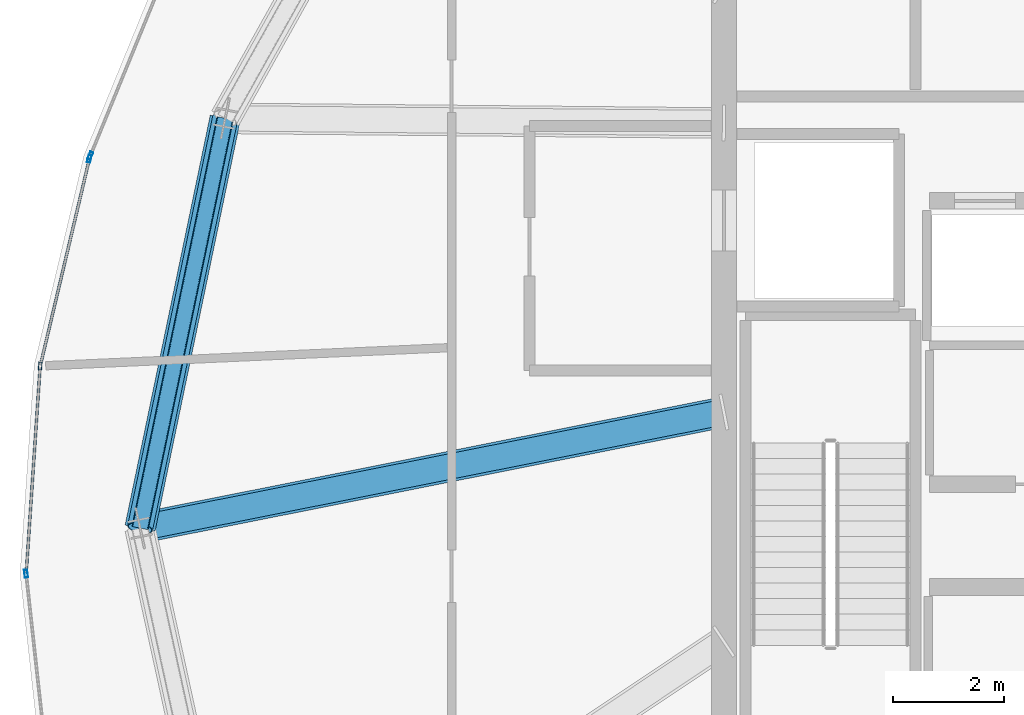
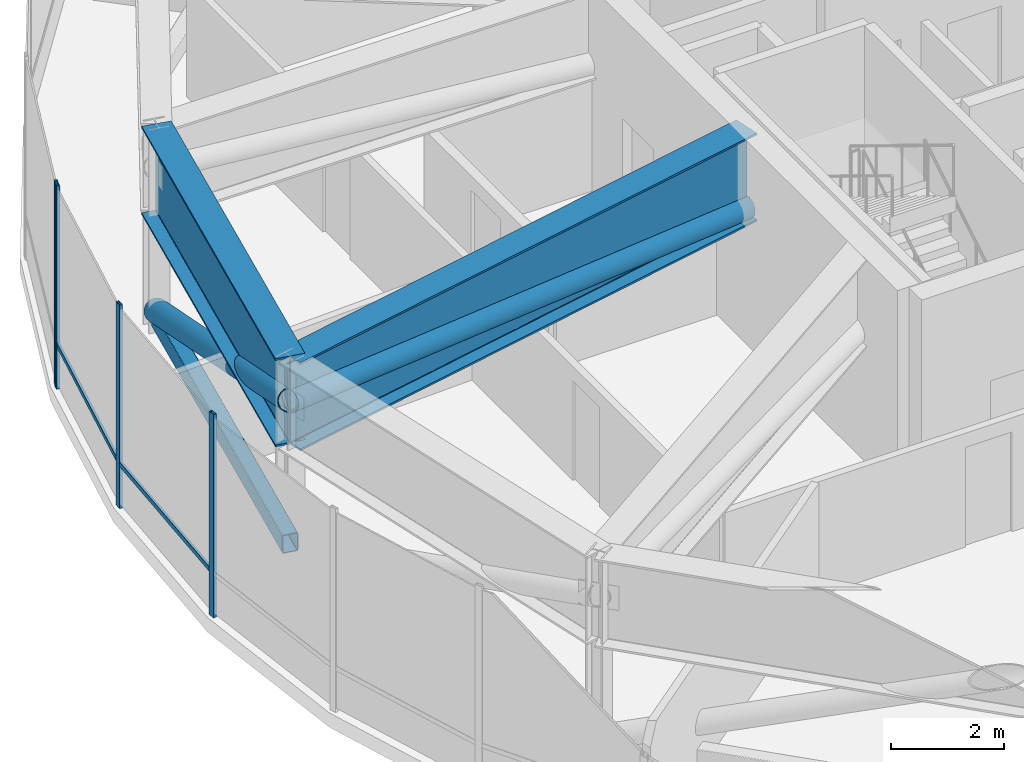
# One storey, part 8 of 26: 9 members, 2 beams, 2 elements without a shape of their own.
"""IFC4 building model written with IfcOpenShell, lengths in metres."""

from ifc_helpers import new_model, si_unit, direction, frame, origin, origin_2d, place, context, subcontext, project, spatial, hollow_rectangle, hollow_circle, i_section, extrude, source, transform, mapped, material, layer, layer_set, material_profile, profile_set, type_object, element, aggregate, save


model = new_model("IFC4")

# Units and contexts
model_context = context("Model", 3, precision=1e-05, world=origin(), true_north=direction((0.0, 1.0)))
body_context = subcontext(model_context, "Body", "Model", "MODEL_VIEW")
ifc_project = project(units=[si_unit("LENGTHUNIT", "METRE"), si_unit("AREAUNIT", "SQUARE_METRE"), si_unit("VOLUMEUNIT", "CUBIC_METRE"), si_unit("PLANEANGLEUNIT", "RADIAN"), si_unit("MASSUNIT", "GRAM", prefix="KILO"), si_unit("THERMODYNAMICTEMPERATUREUNIT", "KELVIN")], contexts=[model_context])

# Site, building, storey
site_placement = place(None, origin())
site = spatial("IfcSite", under=ifc_project, at=site_placement, CompositionType="ELEMENT")
building_placement = place(site_placement, origin())
building = spatial("IfcBuilding", under=site, at=building_placement, Name="Kethvar Cultural Tower", CompositionType="ELEMENT")
storey_placement = place(building_placement, frame((0.0, 0.0, 223.60009765625)))
storey = spatial("IfcBuildingStorey", under=building, at=storey_placement, Name="L58", CompositionType="ELEMENT", Elevation=223.60009765625)

# Beam
ifc_material_1 = material(Name="Steel S460M", Category="steel")
ifc_material_profile_1 = material_profile(ifc_material_1, i_section(OverallWidth=0.550048828125, OverallDepth=1.89990234375, WebThickness=0.02490234375, FlangeThickness=0.0400390625, FilletRadius=0.02001953125, at=origin_2d()), Name="Steel S460M — PG1900x550x40x25")
ifc_profile_set_1 = profile_set([ifc_material_profile_1], Name="Steel S460M — PG1900x550x40x25")
beam_type = type_object("IfcBeamType", Name="BM-TR1900", PredefinedType="BEAM", material=ifc_profile_set_1)
shared_shape_1 = source(origin(), body_context, "Body", "SweptSolid", [
    extrude(i_section(OverallWidth=0.550048828125, OverallDepth=1.89990234375, WebThickness=0.02490234375, FlangeThickness=0.0400390625, FilletRadius=0.02001953125, at=origin_2d()), origin(), (0.0, 0.0, 1.0), 7.533447265625),
])
beam_1_placement = place(storey_placement, frame((29.02490234375, 31.335693359375, 3.427978515625), z_axis=(-0.203358905185, -0.979104261906, 0.0), x_axis=(0.979104261906, -0.203358905185, 0.0)))
element("IfcBeam", 1, at=beam_1_placement, inside=storey, type_object=beam_type, Name="L58 Ring Belt Girder BG-08", PredefinedType="BEAM", context=body_context, shape_type="MappedRepresentation", body=[
    mapped(shared_shape_1, transform((0.0, 0.0, 0.0), scale=1.0)),
])

# Members
ifc_material_profile_2 = material_profile(ifc_material_1, hollow_rectangle(XDim=0.300048828125, YDim=0.39990234375, WallThickness=0.01611328125, InnerFilletRadius=0.01611328125, OuterFilletRadius=0.031982421875, at=origin_2d()), Name="Steel S460M — RHS400x300x16")
ifc_profile_set_2 = profile_set([ifc_material_profile_2], Name="Steel S460M — RHS400x300x16")
member_type_1 = type_object("IfcMemberType", Name="MB-CHD-400", PredefinedType="CHORD", material=ifc_profile_set_2)
shared_shape_2 = source(origin(), body_context, "Body", "SweptSolid", [
    extrude(hollow_rectangle(XDim=0.300048828125, YDim=0.39990234375, WallThickness=0.01611328125, InnerFilletRadius=0.01611328125, OuterFilletRadius=0.031982421875, at=origin_2d()), origin(), (0.0, 0.0, 1.0), 7.533447265625),
])
member_1_placement = place(storey_placement, frame((29.02490234375, 31.335693359375, 0.349853515625), z_axis=(-0.203358905185, -0.979104261906, 0.0), x_axis=(0.979104261906, -0.203358905185, 0.0)))
element("IfcMember", 2, at=member_1_placement, inside=storey, type_object=member_type_1, Name="L58 Ring Belt Bottom Chord BC-08", PredefinedType="CHORD", context=body_context, shape_type="MappedRepresentation", body=[
    mapped(shared_shape_2, transform((0.0, 0.0, 0.0), scale=1.0)),
])
ifc_material_2 = material(Name="Steel S355J2", Category="steel")
ifc_material_profile_3 = material_profile(ifc_material_2, hollow_circle(Radius=0.228515625, WallThickness=0.01611328125, at=origin_2d()), Name="Steel S355J2 — CHS457x16")
ifc_profile_set_3 = profile_set([ifc_material_profile_3], Name="Steel S355J2 — CHS457x16")
member_type_2 = type_object("IfcMemberType", Name="MB-OUT-457", PredefinedType="BRACE", material=ifc_profile_set_3)
shared_shape_3 = source(origin(), body_context, "Body", "SweptSolid", [
    extrude(hollow_circle(Radius=0.228515625, WallThickness=0.01611328125, at=origin_2d()), origin(), (0.0, 0.0, 1.0), 8.137939453125),
])
member_2_placement = place(storey_placement, frame((29.02490234375, 31.335693359375, 0.349853515625), z_axis=(-0.188250752091, -0.906363621066, 0.378241511135), x_axis=(0.979104261906, -0.203358905185, 0.0)))
element("IfcMember", 3, at=member_2_placement, inside=storey, type_object=member_type_2, Name="L58 Ring Belt Diagonal BD-08", PredefinedType="BRACE", context=body_context, shape_type="MappedRepresentation", body=[
    mapped(shared_shape_3, transform((0.0, 0.0, 0.0), scale=1.0)),
])

# Beam
shared_shape_4 = source(origin(), body_context, "Body", "SweptSolid", [
    extrude(i_section(OverallWidth=0.550048828125, OverallDepth=1.89990234375, WebThickness=0.02490234375, FlangeThickness=0.0400390625, FilletRadius=0.02001953125, at=origin_2d()), origin(), (0.0, 0.0, 1.0), 10.712890625),
])
beam_2_placement = place(storey_placement, frame((38.0, 26.049560546875, 3.427978515625), z_axis=(-0.980787859831, -0.195077353908, 0.0), x_axis=(0.195077353908, -0.980787859831, 0.0)))
element("IfcBeam", 4, at=beam_2_placement, inside=storey, type_object=beam_type, Name="L58 Outrigger Transfer Girder OG-09", PredefinedType="BEAM", context=body_context, shape_type="MappedRepresentation", body=[
    mapped(shared_shape_4, transform((0.0, 0.0, 0.0), scale=1.0)),
])

# Member
shared_shape_5 = source(origin(), body_context, "Body", "SweptSolid", [
    extrude(hollow_circle(Radius=0.228515625, WallThickness=0.01611328125, at=origin_2d()), origin(), (0.0, 0.0, 1.0), 10.7412109375),
])
member_3_placement = place(storey_placement, frame((38.0, 26.049560546875, 2.64990234375), z_axis=(-0.978211174843, -0.194564854815, 0.072439041156), x_axis=(0.195077353908, -0.980787859831, 0.0)))
element("IfcMember", 5, at=member_3_placement, inside=storey, type_object=member_type_2, Name="L58 Outrigger Truss Diagonal OB-09", PredefinedType="BRACE", context=body_context, shape_type="MappedRepresentation", body=[
    mapped(shared_shape_5, transform((0.0, 0.0, 0.0), scale=1.0)),
])

# Curtain wall, member
ifc_material_3 = material(Name="Aluminium 6063-T6", Category="aluminium")
ifc_layer = layer(ifc_material_3, 0.179931640625, Name="Aluminium 6063-T6", Category="aluminium")
ifc_layer_set = layer_set([ifc_layer], Name="Aluminium 6063-T6 (180 mm)")
curtain_wall_type = type_object("IfcCurtainWallType", Name="CW-SYS-04-Z34", PredefinedType="NOTDEFINED", material=ifc_layer_set)
curtain_wall_1_placement = place(storey_placement, origin())
curtain_wall_1 = element("IfcCurtainWall", 6, at=curtain_wall_1_placement, inside=storey, type_object=curtain_wall_type, Name="L58 Curtain Wall Run 02", PredefinedType="NOTDEFINED")
ifc_material_profile_4 = material_profile(ifc_material_3, hollow_rectangle(XDim=0.06005859375, YDim=0.139892578125, WallThickness=0.0048828125, at=origin_2d()), Name="Aluminium 6063-T6 — RHS140x60x5")
ifc_profile_set_4 = profile_set([ifc_material_profile_4], Name="Aluminium 6063-T6 — RHS140x60x5")
member_type_3 = type_object("IfcMemberType", Name="CW-SYS-04-Z34-MUL", PredefinedType="MULLION", material=ifc_profile_set_4)
shared_shape_6 = source(origin(), body_context, "Body", "SweptSolid", [
    extrude(hollow_rectangle(XDim=0.06005859375, YDim=0.139892578125, WallThickness=0.0048828125, at=origin_2d()), origin(), (0.0, 0.0, 1.0), 4.3798828125),
])
member_4_placement = place(storey_placement, frame((26.599853515625, 30.66552734375, 0.0), z_axis=(0.0, 0.0, 1.0), x_axis=(0.925342117203, -0.379133177301, 0.0)))
member_4 = element("IfcMember", 7, at=member_4_placement, type_object=member_type_3, Name="CW-L58-R02 Mullion 7", PredefinedType="MULLION", context=body_context, shape_type="MappedRepresentation", body=[
    mapped(shared_shape_6, transform((0.0, 0.0, 0.0), scale=1.0)),
])
aggregate(curtain_wall_1, [member_4])

# Curtain wall, members
curtain_wall_2_placement = place(storey_placement, origin())
curtain_wall_2 = element("IfcCurtainWall", 8, at=curtain_wall_2_placement, inside=storey, type_object=curtain_wall_type, Name="L58 Curtain Wall Run 03", PredefinedType="NOTDEFINED")
member_5_placement = place(storey_placement, frame((26.581298828125, 30.60791015625, 0.0), z_axis=(0.0, 0.0, 1.0), x_axis=(0.973001920318, -0.230797017004, 0.0)))
member_5 = element("IfcMember", 9, at=member_5_placement, type_object=member_type_3, Name="CW-L58-R03 Mullion 1", PredefinedType="MULLION", context=body_context, shape_type="MappedRepresentation", body=[
    mapped(shared_shape_6, transform((0.0, 0.0, 0.0), scale=1.0)),
])
member_6_placement = place(storey_placement, frame((25.695068359375, 26.87841796875, 0.0), z_axis=(0.0, 0.0, 1.0), x_axis=(0.997737390204, -0.067231690368, 0.0)))
member_6 = element("IfcMember", 10, at=member_6_placement, type_object=member_type_3, Name="CW-L58-R03 Mullion 2", PredefinedType="MULLION", context=body_context, shape_type="MappedRepresentation", body=[
    mapped(shared_shape_6, transform((0.0, 0.0, 0.0), scale=1.0)),
])
member_7_placement = place(storey_placement, frame((25.44140625, 23.140380859375, 0.0), z_axis=(0.0, 0.0, 1.0), x_axis=(0.993966699768, 0.109682267267, 0.0)))
member_7 = element("IfcMember", 11, at=member_7_placement, type_object=member_type_3, Name="CW-L58-R03 Mullion 3", PredefinedType="MULLION", context=body_context, shape_type="MappedRepresentation", body=[
    mapped(shared_shape_6, transform((0.0, 0.0, 0.0), scale=1.0)),
])
ifc_material_profile_5 = material_profile(ifc_material_3, hollow_rectangle(XDim=0.050048828125, YDim=0.10009765625, WallThickness=0.00390625, at=origin_2d()), Name="Aluminium 6063-T6 — RHS100x50x4")
ifc_profile_set_5 = profile_set([ifc_material_profile_5], Name="Aluminium 6063-T6 — RHS100x50x4")
member_type_4 = type_object("IfcMemberType", Name="CW-SYS-04-Z34-TRN", PredefinedType="USERDEFINED", material=ifc_profile_set_5)
shared_shape_7 = source(origin(), body_context, "Body", "SweptSolid", [
    extrude(hollow_rectangle(XDim=0.050048828125, YDim=0.10009765625, WallThickness=0.00390625, at=origin_2d()), origin(), (0.0, 0.0, 1.0), 3.80419921875),
])
member_8_placement = place(storey_placement, frame((26.580322265625, 30.603759765625, 0.949951171875), z_axis=(-0.230784610987, -0.973004862954, 0.0), x_axis=(0.973004862954, -0.230784610987, 0.0)))
member_8 = element("IfcMember", 12, at=member_8_placement, type_object=member_type_4, Name="CW-L58-R03 Transom 1", ObjectType="TRANSOM", PredefinedType="USERDEFINED", context=body_context, shape_type="MappedRepresentation", body=[
    mapped(shared_shape_7, transform((0.0, 0.0, 0.0), scale=1.0)),
])
shared_shape_8 = source(origin(), body_context, "Body", "SweptSolid", [
    extrude(hollow_rectangle(XDim=0.050048828125, YDim=0.10009765625, WallThickness=0.00390625, at=origin_2d()), origin(), (0.0, 0.0, 1.0), 3.679443359375),
])
member_9_placement = place(storey_placement, frame((25.692138671875, 26.835205078125, 0.949951171875), z_axis=(-0.067214812014, -0.997738527394, 0.0), x_axis=(0.997738527394, -0.067214812014, 0.0)))
member_9 = element("IfcMember", 13, at=member_9_placement, type_object=member_type_4, Name="CW-L58-R03 Transom 2", ObjectType="TRANSOM", PredefinedType="USERDEFINED", context=body_context, shape_type="MappedRepresentation", body=[
    mapped(shared_shape_8, transform((0.0, 0.0, 0.0), scale=1.0)),
])
aggregate(curtain_wall_2, [member_5, member_6, member_7, member_8, member_9])

save(model, "model.ifc")
